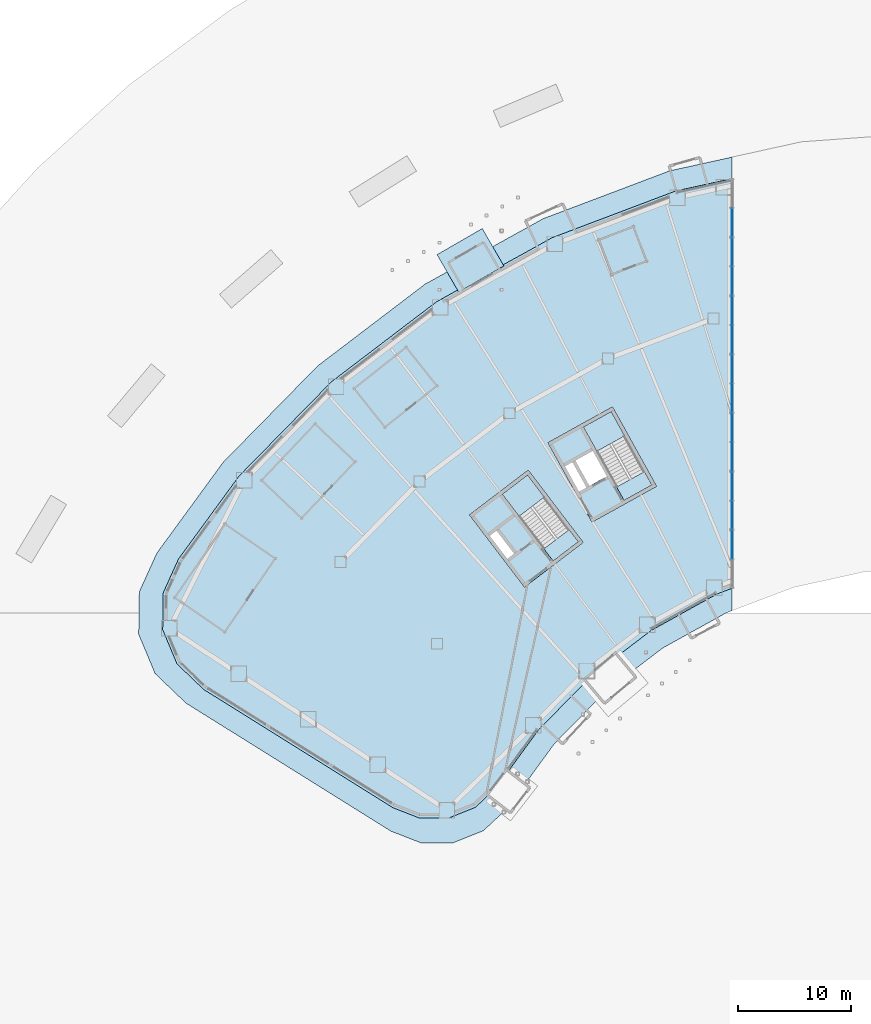
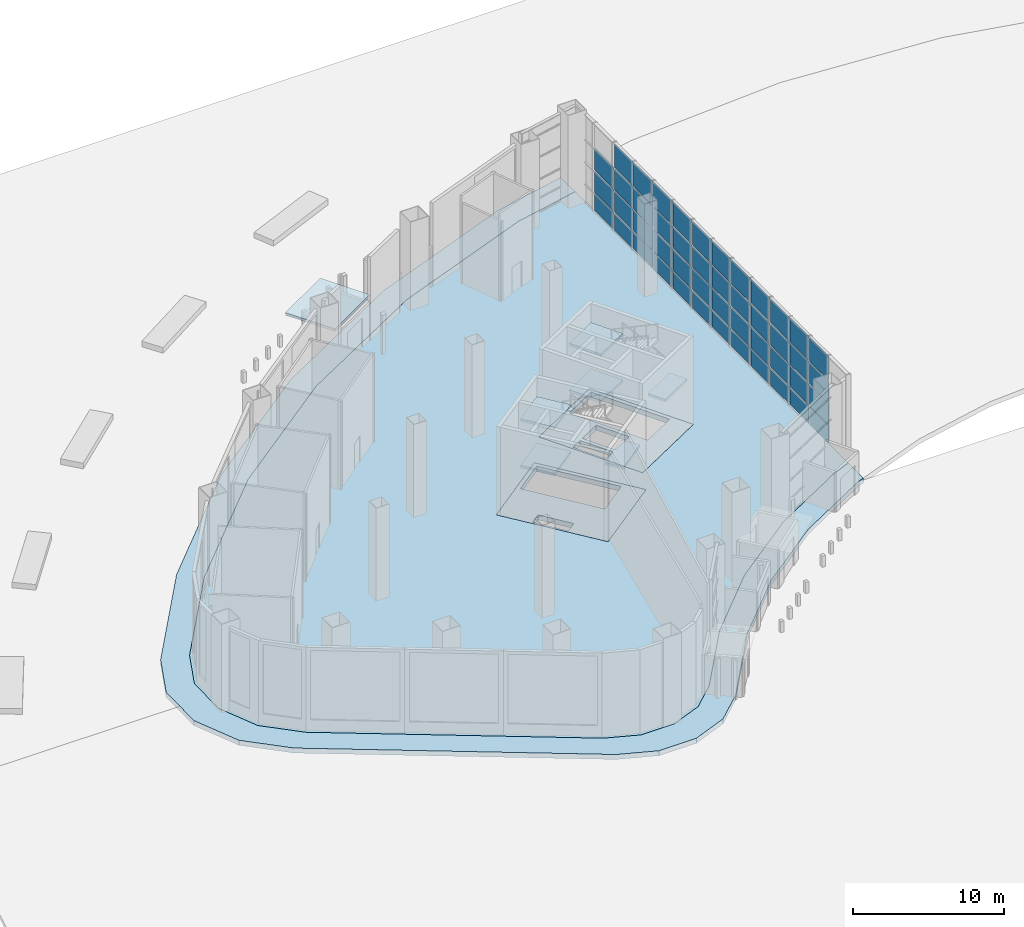
# One storey, part 27 of 45: 47 plates, 11 slabs, 9 elements without a shape of their own.
"""IFC4 building model written with IfcOpenShell, lengths in metres."""

import ifcopenshell
import ifcopenshell.guid

model = None  # the IFC model being written
_history = None  # IfcOwnerHistory: only IFC2X3 demands one
_inside = {}  # id of a spatial element -> (the spatial element, [elements in it])
_under = {}  # id of a project, library or spatial element -> (it, [spatial elements below it])
_declared = {}  # id of a project -> (the project, [libraries it declares])
_typed = {}  # id of a type object -> (the type object, [elements of that type])
_made_of = {}  # id of a material, layer set ... -> (it, [elements and type objects made of it])


def new_model(schema):
    """Start an empty IFC model of exactly this schema.

    Asked for "IFC4X3", IfcOpenShell would pick the latest addendum, in which some entities
    have other attributes; the version numbers below select the first issue.
    IFC2X3 requires an IfcOwnerHistory on every rooted entity: one is made here for all.
    """
    global model, _history
    if schema == "IFC4X3":
        model = ifcopenshell.file(schema_version=(4, 3, 0, 0))
    else:
        model = ifcopenshell.file(schema=schema)
    _inside.clear()
    _under.clear()
    _declared.clear()
    _typed.clear()
    _made_of.clear()
    _history = None
    if model.schema == "IFC2X3":
        org = make("IfcOrganization", Name="unknown")
        user = make(
            "IfcPersonAndOrganization",
            ThePerson=make("IfcPerson", FamilyName="unknown"),
            TheOrganization=org,
        )
        app = make(
            "IfcApplication",
            ApplicationDeveloper=org,
            Version="unknown",
            ApplicationFullName="unknown",
            ApplicationIdentifier="unknown",
        )
        _history = make(
            "IfcOwnerHistory",
            OwningUser=user,
            OwningApplication=app,
            ChangeAction="ADDED",
            CreationDate=0,
        )
    return model


def make(cls, **values):
    """One entity of the class cls with the attributes given. An attribute that is None is left unset."""
    return model.create_entity(
        cls, **{name: value for name, value in values.items() if value is not None}
    )


def rooted(cls, **values):
    """An entity with a GlobalId (a new one), such as an element, a storey or a relation."""
    return make(cls, GlobalId=ifcopenshell.guid.new(), OwnerHistory=_history, **values)


def si_unit(unit_type, name, prefix=None):
    """IfcSIUnit, for example si_unit("LENGTHUNIT", "METRE", prefix="MILLI")."""
    return make("IfcSIUnit", UnitType=unit_type, Prefix=prefix, Name=name)


def assignment(units):
    """IfcUnitAssignment: the units of a project."""
    return None if units is None else make("IfcUnitAssignment", Units=units)


def point(xyz):
    """IfcCartesianPoint."""
    return None if xyz is None else make("IfcCartesianPoint", Coordinates=xyz)


def direction(xyz):
    """IfcDirection."""
    return None if xyz is None else make("IfcDirection", DirectionRatios=xyz)


def frame(location, z_axis=None, x_axis=None):
    """IfcAxis2Placement3D, a coordinate frame: its origin and axes. An axis left out is left unset."""
    return make(
        "IfcAxis2Placement3D",
        Location=point(location),
        Axis=direction(z_axis),
        RefDirection=direction(x_axis),
    )


def frame_2d(location, x_axis=None):
    """IfcAxis2Placement2D, a coordinate frame in the plane: its origin and x axis."""
    return make(
        "IfcAxis2Placement2D", Location=point(location), RefDirection=direction(x_axis)
    )


def origin():
    """The frame at (0, 0, 0) with its axes left unset."""
    return frame((0.0, 0.0, 0.0))


def origin_2d():
    """The frame at (0, 0) in the plane with its x axis left unset."""
    return frame_2d((0.0, 0.0))


def place(relative_to, where):
    """IfcLocalPlacement: puts the frame where relative to a parent placement (None: the world)."""
    return make(
        "IfcLocalPlacement", PlacementRelTo=relative_to, RelativePlacement=where
    )


def context(
    kind, dimensions, precision=None, world=None, true_north=None, identifier=None
):
    """IfcGeometricRepresentationContext, for example the 3D "Model" context."""
    return make(
        "IfcGeometricRepresentationContext",
        ContextIdentifier=identifier,
        ContextType=kind,
        CoordinateSpaceDimension=dimensions,
        Precision=precision,
        WorldCoordinateSystem=world,
        TrueNorth=true_north,
    )


def subcontext(parent, identifier, kind, view, scale=None):
    """IfcGeometricRepresentationSubContext, for example "Body" below "Model"."""
    return make(
        "IfcGeometricRepresentationSubContext",
        ContextIdentifier=identifier,
        ContextType=kind,
        ParentContext=parent,
        TargetScale=scale,
        TargetView=view,
    )


def project(units=None, contexts=None):
    """IfcProject with its units and contexts."""
    return rooted(
        "IfcProject",
        Name="project",
        RepresentationContexts=contexts,
        UnitsInContext=assignment(units),
    )


def spatial(cls, under=None, at=None, **own):
    """A site, building, storey or space (cls), placed at a placement, below another one or the project."""
    s = rooted(cls, ObjectPlacement=at, **own)
    if under is not None:
        _under.setdefault(under.id(), (under, []))[1].append(s)
    return s


def polyline(points):
    """IfcPolyline through the points."""
    return make("IfcPolyline", Points=[point(p) for p in points])


def profile(cls, at=None, kind="AREA", **sizes):
    """A parametric profile (cls). Its sizes go by their IFC names, for example OverallWidth=200.0."""
    return make(cls, ProfileType=kind, Position=at, **sizes)


def rectangle(**sizes):
    """IfcRectangleProfileDef."""
    return profile("IfcRectangleProfileDef", **sizes)


def outline(outer, holes=None, kind="AREA"):
    """IfcArbitraryClosedProfileDef: a profile drawn as a closed curve; with holes, ...WithVoids."""
    if holes is None:
        return make("IfcArbitraryClosedProfileDef", ProfileType=kind, OuterCurve=outer)
    return make(
        "IfcArbitraryProfileDefWithVoids",
        ProfileType=kind,
        OuterCurve=outer,
        InnerCurves=holes,
    )


def extrude(swept, where, along, depth):
    """IfcExtrudedAreaSolid: the profile swept, set in the frame where, extruded along a direction by depth."""
    return make(
        "IfcExtrudedAreaSolid",
        SweptArea=swept,
        Position=where,
        ExtrudedDirection=direction(along),
        Depth=depth,
    )


def shape(context_of_items, identifier, shape_type, items):
    """IfcShapeRepresentation: the items that make up one representation, for example the "Body"."""
    return make(
        "IfcShapeRepresentation",
        ContextOfItems=context_of_items,
        RepresentationIdentifier=identifier,
        RepresentationType=shape_type,
        Items=items,
    )


def material(Name=None, Category=None):
    """IfcMaterial."""
    return make("IfcMaterial", Name=Name, Category=Category)


def layer(
    of_material, thickness, ventilated=None, Name=None, Category=None, Priority=None
):
    """IfcMaterialLayer: one layer of a wall or slab, of a material (None: an air gap)."""
    return make(
        "IfcMaterialLayer",
        Material=of_material,
        LayerThickness=thickness,
        IsVentilated=ventilated,
        Name=Name,
        Category=Category,
        Priority=Priority,
    )


def layer_set(layers, Name=None):
    """IfcMaterialLayerSet."""
    return make("IfcMaterialLayerSet", MaterialLayers=layers, LayerSetName=Name)


def made_of(thing, what):
    """Note that an element or type object is made of a material, layer set ...; save() writes the relation."""
    if what is not None:
        _made_of.setdefault(what.id(), (what, []))[1].append(thing)
    return thing


def type_object(cls, material=None, **own):
    """A type object (cls), such as IfcWallType, which elements share."""
    return made_of(rooted(cls, **own), material)


def element(
    cls,
    number,
    at=None,
    inside=None,
    cuts=None,
    type_object=None,
    material=None,
    context=None,
    identifier="Body",
    shape_type=None,
    held_by="IfcProductDefinitionShape",
    body=None,
    shapes=None,
    **own,
):
    """One element of the class cls, such as IfcWall. Its Tag is "e" and its number.

    at: its placement. inside: the storey or other place that contains it. cuts: it is an
    opening in that element (IfcRelVoidsElement). A single representation is given by context,
    identifier, shape_type and body (its items); several are given by shapes. held_by: the class
    of the entity that holds the representations. save() writes the other relations.
    """
    e = rooted(cls, Tag="e%d" % number, ObjectPlacement=at, **own)
    if body is not None:
        shapes = [shape(context, identifier, shape_type, body)]
    if shapes is not None:
        e.Representation = make(held_by, Representations=shapes)
    if inside is not None:
        _inside.setdefault(inside.id(), (inside, []))[1].append(e)
    if cuts is not None:
        rooted(
            "IfcRelVoidsElement", RelatingBuildingElement=cuts, RelatedOpeningElement=e
        )
    if type_object is not None:
        _typed.setdefault(type_object.id(), (type_object, []))[1].append(e)
    return made_of(e, material)


def aggregate(whole, parts):
    """IfcRelAggregates: a whole, such as a stair, and the parts it consists of."""
    return rooted("IfcRelAggregates", RelatingObject=whole, RelatedObjects=parts)


def save(model, path):
    """Write the relations noted so far, then the file.

    IfcRelAggregates (storeys below a building ...), IfcRelContainedInSpatialStructure (elements
    in a storey), IfcRelDefinesByType, IfcRelAssociatesMaterial and IfcRelDeclares: one each for
    every whole, place, type object, material and project.
    """
    for whole, parts in _under.values():
        aggregate(whole, parts)
    for where, things in _inside.values():
        rooted(
            "IfcRelContainedInSpatialStructure",
            RelatedElements=things,
            RelatingStructure=where,
        )
    for kind, things in _typed.values():
        rooted("IfcRelDefinesByType", RelatedObjects=things, RelatingType=kind)
    for what, things in _made_of.values():
        rooted("IfcRelAssociatesMaterial", RelatedObjects=things, RelatingMaterial=what)
    for by, libraries in _declared.values():
        rooted("IfcRelDeclares", RelatingContext=by, RelatedDefinitions=libraries)
    model.write(path)


model = new_model("IFC4")

# Units and contexts
model_context = context("Model", 3, precision=1e-05, world=origin(), true_north=direction((0.0, 1.0)))
body_context = subcontext(model_context, "Body", "Model", "MODEL_VIEW")
ifc_project = project(units=[si_unit("LENGTHUNIT", "METRE"), si_unit("AREAUNIT", "SQUARE_METRE"), si_unit("VOLUMEUNIT", "CUBIC_METRE"), si_unit("PLANEANGLEUNIT", "RADIAN"), si_unit("MASSUNIT", "GRAM", prefix="KILO")], contexts=[model_context])

# Site, building, storey
site_placement = place(None, origin())
site = spatial("IfcSite", under=ifc_project, at=site_placement, CompositionType="ELEMENT")
building_placement = place(site_placement, origin())
building = spatial("IfcBuilding", under=site, at=building_placement, Name="Tuul Gate Civic Tower", CompositionType="ELEMENT")
storey_placement = place(building_placement, origin())
storey = spatial("IfcBuildingStorey", under=building, at=storey_placement, Name="Level 00", CompositionType="ELEMENT", Elevation=0.0)

# Curtain wall, plates
ifc_material_1 = material(Name="Stainless steel", Category="steel")
ifc_layer_1 = layer(ifc_material_1, 0.199951171875)
ifc_layer_set_1 = layer_set([ifc_layer_1], Name="Stainless steel")
curtain_wall_type = type_object("IfcCurtainWallType", Name="Curtain wall CW2", PredefinedType="NOTDEFINED", material=ifc_layer_set_1)
curtain_wall_1_placement = place(storey_placement, origin())
curtain_wall_1 = element("IfcCurtainWall", 1, at=curtain_wall_1_placement, inside=storey, type_object=curtain_wall_type, Name="Curtain wall CW2", PredefinedType="NOTDEFINED")
ifc_material_2 = material(Name="Laminated glass", Category="glass")
ifc_layer_2 = layer(ifc_material_2, 0.0439453125)
ifc_layer_set_2 = layer_set([ifc_layer_2], Name="Laminated glass")
plate_type = type_object("IfcPlateType", Name="CW2 panel", PredefinedType="CURTAIN_PANEL", material=ifc_layer_set_2)
plate_1_placement = place(storey_placement, frame((-18.0, -13.988037109375, 0.080078125), z_axis=(0.0, 0.0, 1.0), x_axis=(0.0, 1.0, 0.0)))
plate_1 = element("IfcPlate", 2, at=plate_1_placement, type_object=plate_type, Name="Panel", PredefinedType="CURTAIN_PANEL", context=body_context, shape_type="SweptSolid", body=[
    extrude(rectangle(XDim=2.458740234375, YDim=0.0439453125, at=origin_2d()), origin(), (0.0, 0.0, 1.0), 1.3798828125),
])
plate_2_placement = place(storey_placement, frame((-18.0, -13.988037109375, 1.5400390625), z_axis=(0.0, 0.0, 1.0), x_axis=(0.0, 1.0, 0.0)))
plate_2 = element("IfcPlate", 3, at=plate_2_placement, type_object=plate_type, Name="Panel", PredefinedType="CURTAIN_PANEL", context=body_context, shape_type="SweptSolid", body=[
    extrude(rectangle(XDim=2.458740234375, YDim=0.0439453125, at=origin_2d()), origin(), (0.0, 0.0, 1.0), 1.719970703125),
])
plate_3_placement = place(storey_placement, frame((-18.0, -13.988037109375, 3.33984375), z_axis=(0.0, 0.0, 1.0), x_axis=(0.0, 1.0, 0.0)))
plate_3 = element("IfcPlate", 4, at=plate_3_placement, type_object=plate_type, Name="Panel", PredefinedType="CURTAIN_PANEL", context=body_context, shape_type="SweptSolid", body=[
    extrude(rectangle(XDim=2.458740234375, YDim=0.0439453125, at=origin_2d()), origin(), (0.0, 0.0, 1.0), 1.719970703125),
])
plate_4_placement = place(storey_placement, frame((-18.0, -13.988037109375, 5.14013671875), z_axis=(0.0, 0.0, 1.0), x_axis=(0.0, 1.0, 0.0)))
plate_4 = element("IfcPlate", 5, at=plate_4_placement, type_object=plate_type, Name="Panel", PredefinedType="CURTAIN_PANEL", context=body_context, shape_type="SweptSolid", body=[
    extrude(rectangle(XDim=2.458740234375, YDim=0.0439453125, at=origin_2d()), origin(), (0.0, 0.0, 1.0), 1.929931640625),
])
aggregate(curtain_wall_1, [plate_1, plate_2, plate_3, plate_4])

curtain_wall_2_placement = place(storey_placement, origin())
curtain_wall_2 = element("IfcCurtainWall", 6, at=curtain_wall_2_placement, inside=storey, type_object=curtain_wall_type, Name="Curtain wall CW2", PredefinedType="NOTDEFINED")
plate_5_placement = place(storey_placement, frame((-18.0, -11.369384765625, 0.080078125), z_axis=(0.0, 0.0, 1.0), x_axis=(0.0, 1.0, 0.0)))
plate_5 = element("IfcPlate", 7, at=plate_5_placement, type_object=plate_type, Name="Panel", PredefinedType="CURTAIN_PANEL", context=body_context, shape_type="SweptSolid", body=[
    extrude(rectangle(XDim=2.458740234375, YDim=0.0439453125, at=origin_2d()), origin(), (0.0, 0.0, 1.0), 1.3798828125),
])
plate_6_placement = place(storey_placement, frame((-18.0, -11.369384765625, 1.5400390625), z_axis=(0.0, 0.0, 1.0), x_axis=(0.0, 1.0, 0.0)))
plate_6 = element("IfcPlate", 8, at=plate_6_placement, type_object=plate_type, Name="Panel", PredefinedType="CURTAIN_PANEL", context=body_context, shape_type="SweptSolid", body=[
    extrude(rectangle(XDim=2.458740234375, YDim=0.0439453125, at=origin_2d()), origin(), (0.0, 0.0, 1.0), 1.719970703125),
])
plate_7_placement = place(storey_placement, frame((-18.0, -11.369384765625, 3.33984375), z_axis=(0.0, 0.0, 1.0), x_axis=(0.0, 1.0, 0.0)))
plate_7 = element("IfcPlate", 9, at=plate_7_placement, type_object=plate_type, Name="Panel", PredefinedType="CURTAIN_PANEL", context=body_context, shape_type="SweptSolid", body=[
    extrude(rectangle(XDim=2.458740234375, YDim=0.0439453125, at=origin_2d()), origin(), (0.0, 0.0, 1.0), 1.719970703125),
])
plate_8_placement = place(storey_placement, frame((-18.0, -11.369384765625, 5.14013671875), z_axis=(0.0, 0.0, 1.0), x_axis=(0.0, 1.0, 0.0)))
plate_8 = element("IfcPlate", 10, at=plate_8_placement, type_object=plate_type, Name="Panel", PredefinedType="CURTAIN_PANEL", context=body_context, shape_type="SweptSolid", body=[
    extrude(rectangle(XDim=2.458740234375, YDim=0.0439453125, at=origin_2d()), origin(), (0.0, 0.0, 1.0), 1.929931640625),
])
plate_9_placement = place(storey_placement, frame((-18.0, -8.830810546875, 0.080078125), z_axis=(0.0, 0.0, 1.0), x_axis=(0.0, 1.0, 0.0)))
plate_9 = element("IfcPlate", 11, at=plate_9_placement, type_object=plate_type, Name="Panel", PredefinedType="CURTAIN_PANEL", context=body_context, shape_type="SweptSolid", body=[
    extrude(rectangle(XDim=2.458740234375, YDim=0.0439453125, at=origin_2d()), origin(), (0.0, 0.0, 1.0), 1.3798828125),
])
plate_10_placement = place(storey_placement, frame((-18.0, -8.830810546875, 1.5400390625), z_axis=(0.0, 0.0, 1.0), x_axis=(0.0, 1.0, 0.0)))
plate_10 = element("IfcPlate", 12, at=plate_10_placement, type_object=plate_type, Name="Panel", PredefinedType="CURTAIN_PANEL", context=body_context, shape_type="SweptSolid", body=[
    extrude(rectangle(XDim=2.458740234375, YDim=0.0439453125, at=origin_2d()), origin(), (0.0, 0.0, 1.0), 1.719970703125),
])
plate_11_placement = place(storey_placement, frame((-18.0, -8.830810546875, 3.33984375), z_axis=(0.0, 0.0, 1.0), x_axis=(0.0, 1.0, 0.0)))
plate_11 = element("IfcPlate", 13, at=plate_11_placement, type_object=plate_type, Name="Panel", PredefinedType="CURTAIN_PANEL", context=body_context, shape_type="SweptSolid", body=[
    extrude(rectangle(XDim=2.458740234375, YDim=0.0439453125, at=origin_2d()), origin(), (0.0, 0.0, 1.0), 1.719970703125),
])
plate_12_placement = place(storey_placement, frame((-18.0, -8.830810546875, 5.14013671875), z_axis=(0.0, 0.0, 1.0), x_axis=(0.0, 1.0, 0.0)))
plate_12 = element("IfcPlate", 14, at=plate_12_placement, type_object=plate_type, Name="Panel", PredefinedType="CURTAIN_PANEL", context=body_context, shape_type="SweptSolid", body=[
    extrude(rectangle(XDim=2.458740234375, YDim=0.0439453125, at=origin_2d()), origin(), (0.0, 0.0, 1.0), 1.929931640625),
])
aggregate(curtain_wall_2, [plate_5, plate_6, plate_7, plate_8, plate_9, plate_10, plate_11, plate_12])

curtain_wall_3_placement = place(storey_placement, origin())
curtain_wall_3 = element("IfcCurtainWall", 15, at=curtain_wall_3_placement, inside=storey, type_object=curtain_wall_type, Name="Curtain wall CW2", PredefinedType="NOTDEFINED")
plate_13_placement = place(storey_placement, frame((-18.0, -6.212158203125, 0.080078125), z_axis=(0.0, 0.0, 1.0), x_axis=(0.0, 1.0, 0.0)))
plate_13 = element("IfcPlate", 16, at=plate_13_placement, type_object=plate_type, Name="Panel", PredefinedType="CURTAIN_PANEL", context=body_context, shape_type="SweptSolid", body=[
    extrude(rectangle(XDim=2.458740234375, YDim=0.0439453125, at=origin_2d()), origin(), (0.0, 0.0, 1.0), 1.3798828125),
])
plate_14_placement = place(storey_placement, frame((-18.0, -6.212158203125, 1.5400390625), z_axis=(0.0, 0.0, 1.0), x_axis=(0.0, 1.0, 0.0)))
plate_14 = element("IfcPlate", 17, at=plate_14_placement, type_object=plate_type, Name="Panel", PredefinedType="CURTAIN_PANEL", context=body_context, shape_type="SweptSolid", body=[
    extrude(rectangle(XDim=2.458740234375, YDim=0.0439453125, at=origin_2d()), origin(), (0.0, 0.0, 1.0), 1.719970703125),
])
plate_15_placement = place(storey_placement, frame((-18.0, -6.212158203125, 3.33984375), z_axis=(0.0, 0.0, 1.0), x_axis=(0.0, 1.0, 0.0)))
plate_15 = element("IfcPlate", 18, at=plate_15_placement, type_object=plate_type, Name="Panel", PredefinedType="CURTAIN_PANEL", context=body_context, shape_type="SweptSolid", body=[
    extrude(rectangle(XDim=2.458740234375, YDim=0.0439453125, at=origin_2d()), origin(), (0.0, 0.0, 1.0), 1.719970703125),
])
plate_16_placement = place(storey_placement, frame((-18.0, -6.212158203125, 5.14013671875), z_axis=(0.0, 0.0, 1.0), x_axis=(0.0, 1.0, 0.0)))
plate_16 = element("IfcPlate", 19, at=plate_16_placement, type_object=plate_type, Name="Panel", PredefinedType="CURTAIN_PANEL", context=body_context, shape_type="SweptSolid", body=[
    extrude(rectangle(XDim=2.458740234375, YDim=0.0439453125, at=origin_2d()), origin(), (0.0, 0.0, 1.0), 1.929931640625),
])
plate_17_placement = place(storey_placement, frame((-18.0, -3.673583984375, 0.080078125), z_axis=(0.0, 0.0, 1.0), x_axis=(0.0, 1.0, 0.0)))
plate_17 = element("IfcPlate", 20, at=plate_17_placement, type_object=plate_type, Name="Panel", PredefinedType="CURTAIN_PANEL", context=body_context, shape_type="SweptSolid", body=[
    extrude(rectangle(XDim=2.458740234375, YDim=0.0439453125, at=origin_2d()), origin(), (0.0, 0.0, 1.0), 1.3798828125),
])
plate_18_placement = place(storey_placement, frame((-18.0, -3.673583984375, 1.5400390625), z_axis=(0.0, 0.0, 1.0), x_axis=(0.0, 1.0, 0.0)))
plate_18 = element("IfcPlate", 21, at=plate_18_placement, type_object=plate_type, Name="Panel", PredefinedType="CURTAIN_PANEL", context=body_context, shape_type="SweptSolid", body=[
    extrude(rectangle(XDim=2.458740234375, YDim=0.0439453125, at=origin_2d()), origin(), (0.0, 0.0, 1.0), 1.719970703125),
])
plate_19_placement = place(storey_placement, frame((-18.0, -3.673583984375, 3.33984375), z_axis=(0.0, 0.0, 1.0), x_axis=(0.0, 1.0, 0.0)))
plate_19 = element("IfcPlate", 22, at=plate_19_placement, type_object=plate_type, Name="Panel", PredefinedType="CURTAIN_PANEL", context=body_context, shape_type="SweptSolid", body=[
    extrude(rectangle(XDim=2.458740234375, YDim=0.0439453125, at=origin_2d()), origin(), (0.0, 0.0, 1.0), 1.719970703125),
])
plate_20_placement = place(storey_placement, frame((-18.0, -3.673583984375, 5.14013671875), z_axis=(0.0, 0.0, 1.0), x_axis=(0.0, 1.0, 0.0)))
plate_20 = element("IfcPlate", 23, at=plate_20_placement, type_object=plate_type, Name="Panel", PredefinedType="CURTAIN_PANEL", context=body_context, shape_type="SweptSolid", body=[
    extrude(rectangle(XDim=2.458740234375, YDim=0.0439453125, at=origin_2d()), origin(), (0.0, 0.0, 1.0), 1.929931640625),
])
aggregate(curtain_wall_3, [plate_13, plate_14, plate_15, plate_16, plate_17, plate_18, plate_19, plate_20])

curtain_wall_4_placement = place(storey_placement, origin())
curtain_wall_4 = element("IfcCurtainWall", 24, at=curtain_wall_4_placement, inside=storey, type_object=curtain_wall_type, Name="Curtain wall CW2", PredefinedType="NOTDEFINED")
plate_21_placement = place(storey_placement, frame((-18.0, -1.054931640625, 0.080078125), z_axis=(0.0, 0.0, 1.0), x_axis=(0.0, 1.0, 0.0)))
plate_21 = element("IfcPlate", 25, at=plate_21_placement, type_object=plate_type, Name="Panel", PredefinedType="CURTAIN_PANEL", context=body_context, shape_type="SweptSolid", body=[
    extrude(rectangle(XDim=2.458740234375, YDim=0.0439453125, at=origin_2d()), origin(), (0.0, 0.0, 1.0), 1.3798828125),
])
plate_22_placement = place(storey_placement, frame((-18.0, -1.054931640625, 1.5400390625), z_axis=(0.0, 0.0, 1.0), x_axis=(0.0, 1.0, 0.0)))
plate_22 = element("IfcPlate", 26, at=plate_22_placement, type_object=plate_type, Name="Panel", PredefinedType="CURTAIN_PANEL", context=body_context, shape_type="SweptSolid", body=[
    extrude(rectangle(XDim=2.458740234375, YDim=0.0439453125, at=origin_2d()), origin(), (0.0, 0.0, 1.0), 1.719970703125),
])
plate_23_placement = place(storey_placement, frame((-18.0, -1.054931640625, 3.33984375), z_axis=(0.0, 0.0, 1.0), x_axis=(0.0, 1.0, 0.0)))
plate_23 = element("IfcPlate", 27, at=plate_23_placement, type_object=plate_type, Name="Panel", PredefinedType="CURTAIN_PANEL", context=body_context, shape_type="SweptSolid", body=[
    extrude(rectangle(XDim=2.458740234375, YDim=0.0439453125, at=origin_2d()), origin(), (0.0, 0.0, 1.0), 1.719970703125),
])
plate_24_placement = place(storey_placement, frame((-18.0, -1.054931640625, 5.14013671875), z_axis=(0.0, 0.0, 1.0), x_axis=(0.0, 1.0, 0.0)))
plate_24 = element("IfcPlate", 28, at=plate_24_placement, type_object=plate_type, Name="Panel", PredefinedType="CURTAIN_PANEL", context=body_context, shape_type="SweptSolid", body=[
    extrude(rectangle(XDim=2.458740234375, YDim=0.0439453125, at=origin_2d()), origin(), (0.0, 0.0, 1.0), 1.929931640625),
])
plate_25_placement = place(storey_placement, frame((-18.0, 1.48388671875, 0.080078125), z_axis=(0.0, 0.0, 1.0), x_axis=(0.0, 1.0, 0.0)))
plate_25 = element("IfcPlate", 29, at=plate_25_placement, type_object=plate_type, Name="Panel", PredefinedType="CURTAIN_PANEL", context=body_context, shape_type="SweptSolid", body=[
    extrude(rectangle(XDim=2.458740234375, YDim=0.0439453125, at=origin_2d()), origin(), (0.0, 0.0, 1.0), 1.3798828125),
])
plate_26_placement = place(storey_placement, frame((-18.0, 1.48388671875, 1.5400390625), z_axis=(0.0, 0.0, 1.0), x_axis=(0.0, 1.0, 0.0)))
plate_26 = element("IfcPlate", 30, at=plate_26_placement, type_object=plate_type, Name="Panel", PredefinedType="CURTAIN_PANEL", context=body_context, shape_type="SweptSolid", body=[
    extrude(rectangle(XDim=2.458740234375, YDim=0.0439453125, at=origin_2d()), origin(), (0.0, 0.0, 1.0), 1.719970703125),
])
plate_27_placement = place(storey_placement, frame((-18.0, 1.48388671875, 3.33984375), z_axis=(0.0, 0.0, 1.0), x_axis=(0.0, 1.0, 0.0)))
plate_27 = element("IfcPlate", 31, at=plate_27_placement, type_object=plate_type, Name="Panel", PredefinedType="CURTAIN_PANEL", context=body_context, shape_type="SweptSolid", body=[
    extrude(rectangle(XDim=2.458740234375, YDim=0.0439453125, at=origin_2d()), origin(), (0.0, 0.0, 1.0), 1.719970703125),
])
plate_28_placement = place(storey_placement, frame((-18.0, 1.48388671875, 5.14013671875), z_axis=(0.0, 0.0, 1.0), x_axis=(0.0, 1.0, 0.0)))
plate_28 = element("IfcPlate", 32, at=plate_28_placement, type_object=plate_type, Name="Panel", PredefinedType="CURTAIN_PANEL", context=body_context, shape_type="SweptSolid", body=[
    extrude(rectangle(XDim=2.458740234375, YDim=0.0439453125, at=origin_2d()), origin(), (0.0, 0.0, 1.0), 1.929931640625),
])
aggregate(curtain_wall_4, [plate_21, plate_22, plate_23, plate_24, plate_25, plate_26, plate_27, plate_28])

curtain_wall_5_placement = place(storey_placement, origin())
curtain_wall_5 = element("IfcCurtainWall", 33, at=curtain_wall_5_placement, inside=storey, type_object=curtain_wall_type, Name="Curtain wall CW2", PredefinedType="NOTDEFINED")
plate_29_placement = place(storey_placement, frame((-18.0, 4.1025390625, 0.080078125), z_axis=(0.0, 0.0, 1.0), x_axis=(0.0, 1.0, 0.0)))
plate_29 = element("IfcPlate", 34, at=plate_29_placement, type_object=plate_type, Name="Panel", PredefinedType="CURTAIN_PANEL", context=body_context, shape_type="SweptSolid", body=[
    extrude(rectangle(XDim=2.458740234375, YDim=0.0439453125, at=origin_2d()), origin(), (0.0, 0.0, 1.0), 1.3798828125),
])
plate_30_placement = place(storey_placement, frame((-18.0, 4.1025390625, 1.5400390625), z_axis=(0.0, 0.0, 1.0), x_axis=(0.0, 1.0, 0.0)))
plate_30 = element("IfcPlate", 35, at=plate_30_placement, type_object=plate_type, Name="Panel", PredefinedType="CURTAIN_PANEL", context=body_context, shape_type="SweptSolid", body=[
    extrude(rectangle(XDim=2.458740234375, YDim=0.0439453125, at=origin_2d()), origin(), (0.0, 0.0, 1.0), 1.719970703125),
])
plate_31_placement = place(storey_placement, frame((-18.0, 4.1025390625, 3.33984375), z_axis=(0.0, 0.0, 1.0), x_axis=(0.0, 1.0, 0.0)))
plate_31 = element("IfcPlate", 36, at=plate_31_placement, type_object=plate_type, Name="Panel", PredefinedType="CURTAIN_PANEL", context=body_context, shape_type="SweptSolid", body=[
    extrude(rectangle(XDim=2.458740234375, YDim=0.0439453125, at=origin_2d()), origin(), (0.0, 0.0, 1.0), 1.719970703125),
])
plate_32_placement = place(storey_placement, frame((-18.0, 4.1025390625, 5.14013671875), z_axis=(0.0, 0.0, 1.0), x_axis=(0.0, 1.0, 0.0)))
plate_32 = element("IfcPlate", 37, at=plate_32_placement, type_object=plate_type, Name="Panel", PredefinedType="CURTAIN_PANEL", context=body_context, shape_type="SweptSolid", body=[
    extrude(rectangle(XDim=2.458740234375, YDim=0.0439453125, at=origin_2d()), origin(), (0.0, 0.0, 1.0), 1.929931640625),
])
plate_33_placement = place(storey_placement, frame((-18.0, 6.64111328125, 0.080078125), z_axis=(0.0, 0.0, 1.0), x_axis=(0.0, 1.0, 0.0)))
plate_33 = element("IfcPlate", 38, at=plate_33_placement, type_object=plate_type, Name="Panel", PredefinedType="CURTAIN_PANEL", context=body_context, shape_type="SweptSolid", body=[
    extrude(rectangle(XDim=2.458740234375, YDim=0.0439453125, at=origin_2d()), origin(), (0.0, 0.0, 1.0), 1.3798828125),
])
plate_34_placement = place(storey_placement, frame((-18.0, 6.64111328125, 1.5400390625), z_axis=(0.0, 0.0, 1.0), x_axis=(0.0, 1.0, 0.0)))
plate_34 = element("IfcPlate", 39, at=plate_34_placement, type_object=plate_type, Name="Panel", PredefinedType="CURTAIN_PANEL", context=body_context, shape_type="SweptSolid", body=[
    extrude(rectangle(XDim=2.458740234375, YDim=0.0439453125, at=origin_2d()), origin(), (0.0, 0.0, 1.0), 1.719970703125),
])
plate_35_placement = place(storey_placement, frame((-18.0, 6.64111328125, 3.33984375), z_axis=(0.0, 0.0, 1.0), x_axis=(0.0, 1.0, 0.0)))
plate_35 = element("IfcPlate", 40, at=plate_35_placement, type_object=plate_type, Name="Panel", PredefinedType="CURTAIN_PANEL", context=body_context, shape_type="SweptSolid", body=[
    extrude(rectangle(XDim=2.458740234375, YDim=0.0439453125, at=origin_2d()), origin(), (0.0, 0.0, 1.0), 1.719970703125),
])
plate_36_placement = place(storey_placement, frame((-18.0, 6.64111328125, 5.14013671875), z_axis=(0.0, 0.0, 1.0), x_axis=(0.0, 1.0, 0.0)))
plate_36 = element("IfcPlate", 41, at=plate_36_placement, type_object=plate_type, Name="Panel", PredefinedType="CURTAIN_PANEL", context=body_context, shape_type="SweptSolid", body=[
    extrude(rectangle(XDim=2.458740234375, YDim=0.0439453125, at=origin_2d()), origin(), (0.0, 0.0, 1.0), 1.929931640625),
])
aggregate(curtain_wall_5, [plate_29, plate_30, plate_31, plate_32, plate_33, plate_34, plate_35, plate_36])

curtain_wall_6_placement = place(storey_placement, origin())
curtain_wall_6 = element("IfcCurtainWall", 42, at=curtain_wall_6_placement, inside=storey, type_object=curtain_wall_type, Name="Curtain wall CW2", PredefinedType="NOTDEFINED")
plate_37_placement = place(storey_placement, frame((-18.0, 9.259765625, 0.080078125), z_axis=(0.0, 0.0, 1.0), x_axis=(0.0, 1.0, 0.0)))
plate_37 = element("IfcPlate", 43, at=plate_37_placement, type_object=plate_type, Name="Panel", PredefinedType="CURTAIN_PANEL", context=body_context, shape_type="SweptSolid", body=[
    extrude(rectangle(XDim=2.458740234375, YDim=0.0439453125, at=origin_2d()), origin(), (0.0, 0.0, 1.0), 1.3798828125),
])
plate_38_placement = place(storey_placement, frame((-18.0, 9.259765625, 1.5400390625), z_axis=(0.0, 0.0, 1.0), x_axis=(0.0, 1.0, 0.0)))
plate_38 = element("IfcPlate", 44, at=plate_38_placement, type_object=plate_type, Name="Panel", PredefinedType="CURTAIN_PANEL", context=body_context, shape_type="SweptSolid", body=[
    extrude(rectangle(XDim=2.458740234375, YDim=0.0439453125, at=origin_2d()), origin(), (0.0, 0.0, 1.0), 1.719970703125),
])
plate_39_placement = place(storey_placement, frame((-18.0, 9.259765625, 3.33984375), z_axis=(0.0, 0.0, 1.0), x_axis=(0.0, 1.0, 0.0)))
plate_39 = element("IfcPlate", 45, at=plate_39_placement, type_object=plate_type, Name="Panel", PredefinedType="CURTAIN_PANEL", context=body_context, shape_type="SweptSolid", body=[
    extrude(rectangle(XDim=2.458740234375, YDim=0.0439453125, at=origin_2d()), origin(), (0.0, 0.0, 1.0), 1.719970703125),
])
plate_40_placement = place(storey_placement, frame((-18.0, 9.259765625, 5.14013671875), z_axis=(0.0, 0.0, 1.0), x_axis=(0.0, 1.0, 0.0)))
plate_40 = element("IfcPlate", 46, at=plate_40_placement, type_object=plate_type, Name="Panel", PredefinedType="CURTAIN_PANEL", context=body_context, shape_type="SweptSolid", body=[
    extrude(rectangle(XDim=2.458740234375, YDim=0.0439453125, at=origin_2d()), origin(), (0.0, 0.0, 1.0), 1.929931640625),
])
plate_41_placement = place(storey_placement, frame((-18.0, 11.79833984375, 0.080078125), z_axis=(0.0, 0.0, 1.0), x_axis=(0.0, 1.0, 0.0)))
plate_41 = element("IfcPlate", 47, at=plate_41_placement, type_object=plate_type, Name="Panel", PredefinedType="CURTAIN_PANEL", context=body_context, shape_type="SweptSolid", body=[
    extrude(rectangle(XDim=2.458740234375, YDim=0.0439453125, at=origin_2d()), origin(), (0.0, 0.0, 1.0), 1.3798828125),
])
plate_42_placement = place(storey_placement, frame((-18.0, 11.79833984375, 1.5400390625), z_axis=(0.0, 0.0, 1.0), x_axis=(0.0, 1.0, 0.0)))
plate_42 = element("IfcPlate", 48, at=plate_42_placement, type_object=plate_type, Name="Panel", PredefinedType="CURTAIN_PANEL", context=body_context, shape_type="SweptSolid", body=[
    extrude(rectangle(XDim=2.458740234375, YDim=0.0439453125, at=origin_2d()), origin(), (0.0, 0.0, 1.0), 1.719970703125),
])
plate_43_placement = place(storey_placement, frame((-18.0, 11.79833984375, 3.33984375), z_axis=(0.0, 0.0, 1.0), x_axis=(0.0, 1.0, 0.0)))
plate_43 = element("IfcPlate", 49, at=plate_43_placement, type_object=plate_type, Name="Panel", PredefinedType="CURTAIN_PANEL", context=body_context, shape_type="SweptSolid", body=[
    extrude(rectangle(XDim=2.458740234375, YDim=0.0439453125, at=origin_2d()), origin(), (0.0, 0.0, 1.0), 1.719970703125),
])
plate_44_placement = place(storey_placement, frame((-18.0, 11.79833984375, 5.14013671875), z_axis=(0.0, 0.0, 1.0), x_axis=(0.0, 1.0, 0.0)))
plate_44 = element("IfcPlate", 50, at=plate_44_placement, type_object=plate_type, Name="Panel", PredefinedType="CURTAIN_PANEL", context=body_context, shape_type="SweptSolid", body=[
    extrude(rectangle(XDim=2.458740234375, YDim=0.0439453125, at=origin_2d()), origin(), (0.0, 0.0, 1.0), 1.929931640625),
])
aggregate(curtain_wall_6, [plate_37, plate_38, plate_39, plate_40, plate_41, plate_42, plate_43, plate_44])

curtain_wall_7_placement = place(storey_placement, origin())
curtain_wall_7 = element("IfcCurtainWall", 51, at=curtain_wall_7_placement, inside=storey, type_object=curtain_wall_type, Name="Curtain wall CW2", PredefinedType="NOTDEFINED")
plate_45_placement = place(storey_placement, frame((-18.0, 14.4169921875, 0.080078125), z_axis=(0.0, 0.0, 1.0), x_axis=(0.0, 1.0, 0.0)))
plate_45 = element("IfcPlate", 52, at=plate_45_placement, type_object=plate_type, Name="Panel", PredefinedType="CURTAIN_PANEL", context=body_context, shape_type="SweptSolid", body=[
    extrude(rectangle(XDim=2.458740234375, YDim=0.0439453125, at=origin_2d()), origin(), (0.0, 0.0, 1.0), 1.3798828125),
])
plate_46_placement = place(storey_placement, frame((-18.0, 14.4169921875, 1.5400390625), z_axis=(0.0, 0.0, 1.0), x_axis=(0.0, 1.0, 0.0)))
plate_46 = element("IfcPlate", 53, at=plate_46_placement, type_object=plate_type, Name="Panel", PredefinedType="CURTAIN_PANEL", context=body_context, shape_type="SweptSolid", body=[
    extrude(rectangle(XDim=2.458740234375, YDim=0.0439453125, at=origin_2d()), origin(), (0.0, 0.0, 1.0), 1.719970703125),
])
plate_47_placement = place(storey_placement, frame((-18.0, 14.4169921875, 3.33984375), z_axis=(0.0, 0.0, 1.0), x_axis=(0.0, 1.0, 0.0)))
plate_47 = element("IfcPlate", 54, at=plate_47_placement, type_object=plate_type, Name="Panel", PredefinedType="CURTAIN_PANEL", context=body_context, shape_type="SweptSolid", body=[
    extrude(rectangle(XDim=2.458740234375, YDim=0.0439453125, at=origin_2d()), origin(), (0.0, 0.0, 1.0), 1.719970703125),
])
aggregate(curtain_wall_7, [plate_45, plate_46, plate_47])

# Slabs
ifc_material_3 = material(Name="Concrete C40/50", Category="concrete")
ifc_layer_3 = layer(ifc_material_3, 0.39990234375)
ifc_layer_set_3 = layer_set([ifc_layer_3], Name="Concrete C40/50")
slab_type_1 = type_object("IfcSlabType", Name="Core floor slab 400", PredefinedType="FLOOR", material=ifc_layer_set_3)
slab_1_placement = place(storey_placement, frame((0.0, 0.0, -0.400146484375)))
element("IfcSlab", 55, at=slab_1_placement, inside=storey, type_object=slab_type_1, Name="FLOOR SLAB", PredefinedType="FLOOR", context=body_context, shape_type="SweptSolid", body=[
    extrude(outline(polyline([(-31.10009765625, -13.7890625), (-35.946044921875, -7.423828125), (-41.11767578125, -11.361572265625), (-36.271484375, -17.726806640625), (-31.10009765625, -13.7890625)]), holes=[polyline([(-37.19287109375, -14.783203125), (-38.737548828125, -12.75439453125), (-39.45361328125, -13.299560546875), (-37.908935546875, -15.328369140625), (-37.19287109375, -14.783203125)]), polyline([(-32.33935546875, -12.65771484375), (-34.56591796875, -14.352783203125), (-38.229736328125, -9.54052734375), (-36.003173828125, -7.845458984375), (-32.33935546875, -12.65771484375)])]), origin(), (0.0, 0.0, 1.0), 0.400146484375),
])
slab_2_placement = place(storey_placement, frame((0.0, 0.0, -0.400146484375)))
element("IfcSlab", 56, at=slab_2_placement, inside=storey, type_object=slab_type_1, Name="FLOOR SLAB", PredefinedType="FLOOR", context=body_context, shape_type="SweptSolid", body=[
    extrude(outline(polyline([(-24.638916015625, -8.846923828125), (-28.51708984375, -1.849853515625), (-34.2021484375, -5.0009765625), (-30.32421875, -11.998046875), (-24.638916015625, -8.846923828125)]), holes=[polyline([(-29.0185546875, -7.958740234375), (-30.254638671875, -5.728515625), (-31.785400390625, -6.576904296875), (-30.54931640625, -8.80712890625), (-29.0185546875, -7.958740234375)]), polyline([(-30.8115234375, -8.95263671875), (-32.047607421875, -6.72216796875), (-32.8349609375, -7.158447265625), (-31.5986328125, -9.388916015625), (-30.8115234375, -8.95263671875)]), polyline([(-25.702392578125, -7.548828125), (-28.14990234375, -8.905517578125), (-31.08203125, -3.615234375), (-28.63427734375, -2.2587890625), (-25.702392578125, -7.548828125)])]), origin(), (0.0, 0.0, 1.0), 0.400146484375),
])
ifc_material_4 = material(Name="Concrete C40/50", Category="concrete")
ifc_layer_4 = layer(ifc_material_4, 0.199951171875)
ifc_layer_set_4 = layer_set([ifc_layer_4], Name="Concrete C40/50")
slab_type_2 = type_object("IfcSlabType", Name="Entrance canopy", PredefinedType="ROOF", material=ifc_layer_set_4)
slab_3_placement = place(storey_placement, frame((0.0, 0.0, 3.199951171875)))
element("IfcSlab", 57, at=slab_3_placement, inside=storey, type_object=slab_type_2, Name="Entrance canopy", PredefinedType="ROOF", context=body_context, shape_type="SweptSolid", body=[
    extrude(outline(polyline([(-38.092041015625, 10.5771484375), (-39.991943359375, 13.8681640625), (-43.9755859375, 11.568115234375), (-42.07568359375, 8.277099609375), (-38.092041015625, 10.5771484375)])), origin(), (0.0, 0.0, 1.0), 0.199951171875),
])

# Stair, slabs
ifc_material_5 = material(Name="Concrete C40/50", Category="concrete")
stair_type = type_object("IfcStairType", Name="Exit stair", PredefinedType="HALF_TURN_STAIR", material=ifc_material_5)
stair_1_placement = place(storey_placement, origin())
stair_1 = element("IfcStair", 58, at=stair_1_placement, inside=storey, type_object=stair_type, Name="Level 00 ST-1", PredefinedType="HALF_TURN_STAIR")
ifc_material_6 = material(Name="Concrete C40/50", Category="concrete")
ifc_layer_5 = layer(ifc_material_6, 0.199951171875)
ifc_layer_set_5 = layer_set([ifc_layer_5], Name="Concrete C40/50")
slab_type_3 = type_object("IfcSlabType", Name="Exit stair landing", PredefinedType="LANDING", material=ifc_layer_set_5)
slab_4_placement = place(storey_placement, frame((0.0, 0.0, 1.675048828125)))
slab_4 = element("IfcSlab", 59, at=slab_4_placement, type_object=slab_type_3, Name="ST-1 landing 1", PredefinedType="LANDING", context=body_context, shape_type="SweptSolid", body=[
    extrude(outline(polyline([(-34.517822265625, -9.793701171875), (-36.746826171875, -11.49072265625), (-38.23193359375, -9.540283203125), (-36.0029296875, -7.843017578125), (-34.517822265625, -9.793701171875)])), origin(), (0.0, 0.0, 1.0), 0.199951171875),
])
slab_5_placement = place(storey_placement, frame((0.0, 0.0, 3.550048828125)))
slab_5 = element("IfcSlab", 60, at=slab_5_placement, type_object=slab_type_3, Name="ST-1 landing 2", PredefinedType="LANDING", context=body_context, shape_type="SweptSolid", body=[
    extrude(outline(polyline([(-31.519287109375, -13.732177734375), (-33.748291015625, -15.42919921875), (-34.567138671875, -14.353759765625), (-32.338134765625, -12.65673828125), (-31.519287109375, -13.732177734375)])), origin(), (0.0, 0.0, 1.0), 0.199951171875),
])
slab_6_placement = place(storey_placement, frame((0.0, 0.0, 5.425048828125)))
slab_6 = element("IfcSlab", 61, at=slab_6_placement, type_object=slab_type_3, Name="ST-1 landing 3", PredefinedType="LANDING", context=body_context, shape_type="SweptSolid", body=[
    extrude(outline(polyline([(-34.517822265625, -9.793701171875), (-36.746826171875, -11.49072265625), (-38.23193359375, -9.540283203125), (-36.0029296875, -7.843017578125), (-34.517822265625, -9.793701171875)])), origin(), (0.0, 0.0, 1.0), 0.199951171875),
])
aggregate(stair_1, [slab_4, slab_5, slab_6])

stair_2_placement = place(storey_placement, origin())
stair_2 = element("IfcStair", 62, at=stair_2_placement, inside=storey, type_object=stair_type, Name="Level 00 ST-2", PredefinedType="HALF_TURN_STAIR")
slab_7_placement = place(storey_placement, frame((0.0, 0.0, 1.675048828125)))
slab_7 = element("IfcSlab", 63, at=slab_7_placement, type_object=slab_type_3, Name="ST-2 landing 1", PredefinedType="LANDING", context=body_context, shape_type="SweptSolid", body=[
    extrude(outline(polyline([(-27.4453125, -4.40087890625), (-29.895751953125, -5.759033203125), (-31.084228515625, -3.61474609375), (-28.6337890625, -2.256591796875), (-27.4453125, -4.40087890625)])), origin(), (0.0, 0.0, 1.0), 0.199951171875),
])
slab_8_placement = place(storey_placement, frame((0.0, 0.0, 3.550048828125)))
slab_8 = element("IfcSlab", 64, at=slab_8_placement, type_object=slab_type_3, Name="ST-2 landing 2", PredefinedType="LANDING", context=body_context, shape_type="SweptSolid", body=[
    extrude(outline(polyline([(-25.045654296875, -8.730224609375), (-27.49609375, -10.08837890625), (-28.1513671875, -8.90625), (-25.700927734375, -7.548095703125), (-25.045654296875, -8.730224609375)])), origin(), (0.0, 0.0, 1.0), 0.199951171875),
])
slab_9_placement = place(storey_placement, frame((0.0, 0.0, 5.425048828125)))
slab_9 = element("IfcSlab", 65, at=slab_9_placement, type_object=slab_type_3, Name="ST-2 landing 3", PredefinedType="LANDING", context=body_context, shape_type="SweptSolid", body=[
    extrude(outline(polyline([(-27.4453125, -4.40087890625), (-29.895751953125, -5.759033203125), (-31.084228515625, -3.61474609375), (-28.6337890625, -2.256591796875), (-27.4453125, -4.40087890625)])), origin(), (0.0, 0.0, 1.0), 0.199951171875),
])
aggregate(stair_2, [slab_7, slab_8, slab_9])

# Slabs
ifc_material_7 = material(Name="Concrete C35/45", Category="concrete")
ifc_layer_6 = layer(ifc_material_7, 0.39990234375)
ifc_layer_set_6 = layer_set([ifc_layer_6], Name="Concrete C35/45")
slab_type_4 = type_object("IfcSlabType", Name="STR-FLOOR-SLAB-400", PredefinedType="FLOOR", material=ifc_layer_set_6)
slab_10_placement = place(storey_placement, frame((0.0, 0.0, -0.400146484375)))
element("IfcSlab", 66, at=slab_10_placement, inside=storey, type_object=slab_type_4, Name="Level 00/slab/W", PredefinedType="FLOOR", context=body_context, shape_type="SweptSolid", body=[
    extrude(outline(polyline([(-25.10888671875, -21.5458984375), (-19.304931640625, -18.3291015625), (-18.0, -17.8359375), (-18.0, 18.264892578125), (-22.964111328125, 17.1708984375), (-33.844970703125, 13.056884765625), (-44.02001953125, 7.4169921875), (-53.27587890625, 0.368896484375), (-61.419921875, -7.93896484375), (-66.757080078125, -15.24609375), (-68.10302734375, -18.218017578125), (-68.15087890625, -21.48095703125), (-66.89208984375, -24.490966796875), (-64.535888671875, -26.7490234375), (-47.85888671875, -37.1689453125), (-45.4990234375, -38.087890625), (-42.967041015625, -38.0791015625), (-40.613037109375, -37.14404296875), (-38.763916015625, -35.4130859375), (-35.032958984375, -30.304931640625), (-30.387939453125, -25.56591796875), (-25.10888671875, -21.5458984375)]), holes=[polyline([(-31.10009765625, -13.7890625), (-36.27197265625, -17.72705078125), (-41.117919921875, -11.362060546875), (-35.946044921875, -7.424072265625), (-31.10009765625, -13.7890625)]), polyline([(-30.323974609375, -11.998046875), (-34.201904296875, -5.0009765625), (-28.51708984375, -1.85009765625), (-24.638916015625, -8.846923828125), (-30.323974609375, -11.998046875)])]), origin(), (0.0, 0.0, 1.0), 0.400146484375),
])
ifc_material_8 = material(Name="Concrete C40/50", Category="concrete")
ifc_layer_7 = layer(ifc_material_8, 0.39990234375)
ifc_layer_set_7 = layer_set([ifc_layer_7], Name="Concrete C40/50")
slab_type_5 = type_object("IfcSlabType", Name="Street slab", PredefinedType="USERDEFINED", material=ifc_layer_set_7)
slab_11_placement = place(storey_placement, frame((0.0, 0.0, -0.400146484375)))
element("IfcSlab", 67, at=slab_11_placement, inside=storey, type_object=slab_type_5, Name="Plaza deck", ObjectType="PAVING", PredefinedType="USERDEFINED", context=body_context, shape_type="SweptSolid", body=[
    extrude(outline(polyline([(-18.52490234375, -20.011962890625), (-24.094970703125, -23.09912109375), (-29.160888671875, -26.95703125), (-33.617919921875, -31.50390625), (-37.81689453125, -37.2529296875), (-39.89794921875, -39.201904296875), (-42.547119140625, -40.25390625), (-45.39697265625, -40.262939453125), (-48.052978515625, -39.22998046875), (-66.112060546875, -27.945068359375), (-68.821044921875, -25.35009765625), (-70.26806640625, -21.889892578125), (-70.214111328125, -18.138916015625), (-68.6650390625, -14.722900390625), (-62.8349609375, -6.739013671875), (-54.5029296875, 1.760009765625), (-45.033935546875, 8.969970703125), (-34.625, 14.739990234375), (-23.492919921875, 18.948974609375), (-18.0, 20.159912109375), (-18.0, 18.26513671875), (-22.964111328125, 17.1708984375), (-33.844970703125, 13.056884765625), (-44.02001953125, 7.4169921875), (-53.27587890625, 0.368896484375), (-61.419921875, -7.93896484375), (-66.757080078125, -15.24609375), (-68.10302734375, -18.218017578125), (-68.15087890625, -21.48095703125), (-66.89208984375, -24.490966796875), (-64.535888671875, -26.7490234375), (-47.85888671875, -37.1689453125), (-45.4990234375, -38.087890625), (-42.967041015625, -38.0791015625), (-40.613037109375, -37.14404296875), (-38.763916015625, -35.4130859375), (-35.032958984375, -30.304931640625), (-30.387939453125, -25.56591796875), (-25.10888671875, -21.5458984375), (-19.304931640625, -18.3291015625), (-18.0, -17.83544921875), (-18.0, -19.8134765625), (-18.52490234375, -20.011962890625)])), origin(), (0.0, 0.0, 1.0), 0.400146484375),
])

save(model, "model.ifc")
